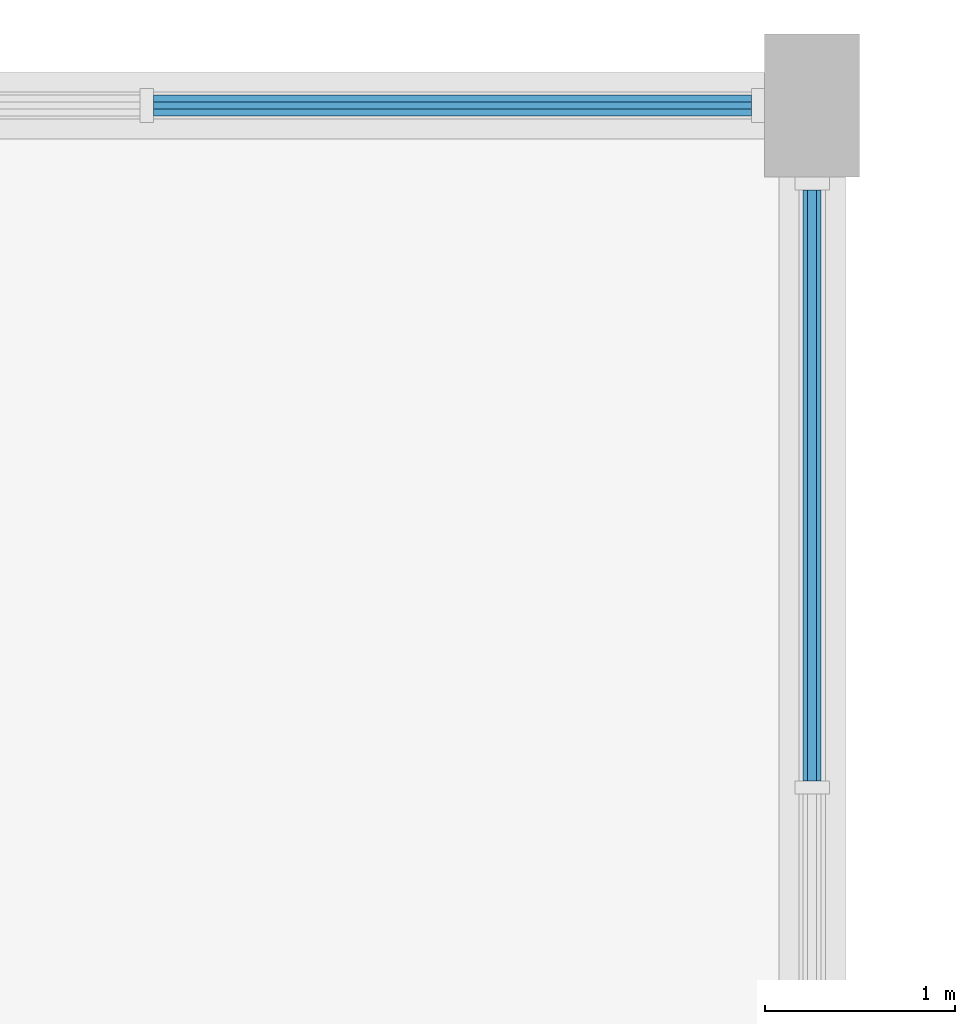
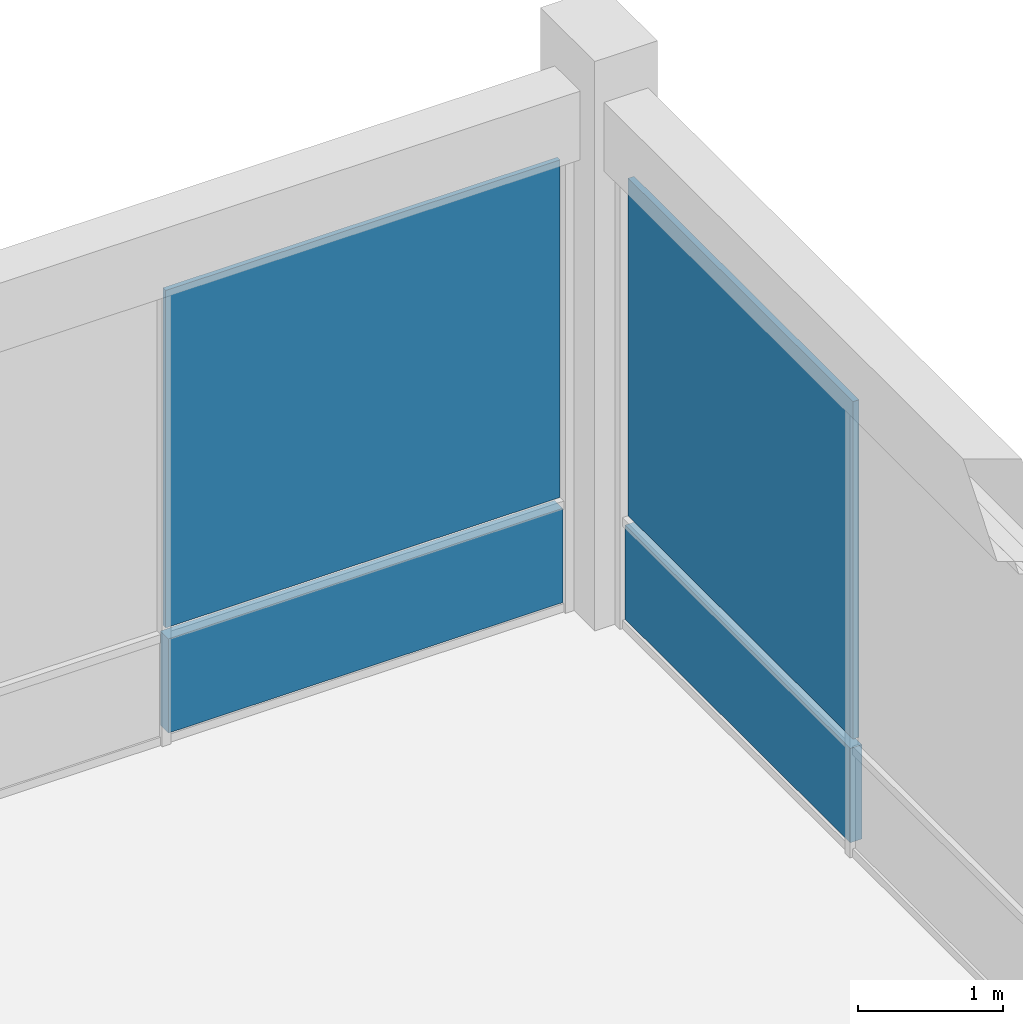
# One storey, part 53 of 75: 4 plates, 2 elements without a shape of their own.
"""IFC4 building model written with IfcOpenShell, lengths in metres."""

from ifc_helpers import new_model, si_unit, direction, frame, origin, origin_2d, place, context, subcontext, project, spatial, rectangle, extrude, material, layer, layer_set, type_object, element, aggregate, save


model = new_model("IFC4")

# Units and contexts
model_context = context("Model", 3, precision=1e-05, world=origin(), true_north=direction((0.0, 1.0)))
body_context = subcontext(model_context, "Body", "Model", "MODEL_VIEW")
ifc_project = project(units=[si_unit("LENGTHUNIT", "METRE"), si_unit("AREAUNIT", "SQUARE_METRE"), si_unit("VOLUMEUNIT", "CUBIC_METRE"), si_unit("PLANEANGLEUNIT", "RADIAN"), si_unit("MASSUNIT", "GRAM", prefix="KILO")], contexts=[model_context])

# Site, building, storey
site_placement = place(None, origin())
site = spatial("IfcSite", under=ifc_project, at=site_placement, CompositionType="ELEMENT")
building_placement = place(site_placement, origin())
building = spatial("IfcBuilding", under=site, at=building_placement, Name="Cendaluz Park School", CompositionType="ELEMENT")
storey_placement = place(building_placement, frame((0.0, 0.0, 4.800048828125)))
storey = spatial("IfcBuildingStorey", under=building, at=storey_placement, Name="L01", CompositionType="ELEMENT", Elevation=4.800048828125)

# Curtain wall, plate
ifc_material_1 = material(Name="Anodised Aluminium 6063-T6", Category="aluminium")
ifc_layer_1 = layer(ifc_material_1, 0.179931640625)
ifc_layer_set_1 = layer_set([ifc_layer_1], Name="Anodised Aluminium 6063-T6")
curtain_wall_type_1 = type_object("IfcCurtainWallType", Name="CW-130x77", PredefinedType="NOTDEFINED", material=ifc_layer_set_1)
curtain_wall_1_placement = place(storey_placement, origin())
curtain_wall_1 = element("IfcCurtainWall", 1, at=curtain_wall_1_placement, inside=storey, type_object=curtain_wall_type_1, Name="CW-L01-088", PredefinedType="NOTDEFINED")
ifc_material_2 = material(Name="Tempered Low-E Double Glazing", Category="glass")
ifc_layer_2 = layer(ifc_material_2, 0.0380859375)
ifc_layer_set_2 = layer_set([ifc_layer_2], Name="Tempered Low-E Double Glazing")
plate_type_1 = type_object("IfcPlateType", Name="CWP-G02", PredefinedType="CURTAIN_PANEL", material=ifc_layer_set_2)
plate_1_placement = place(storey_placement, frame((170.907470703125, 115.199951171875, 0.93505859375), z_axis=(0.0, 0.0, 1.0), x_axis=(1.0, 0.0, 0.0)))
plate_1 = element("IfcPlate", 2, at=plate_1_placement, type_object=plate_type_1, Name="CP-L01-1144", PredefinedType="CURTAIN_PANEL", context=body_context, shape_type="SweptSolid", body=[
    extrude(rectangle(XDim=3.14501953125, YDim=0.0380859375, at=origin_2d()), origin(), (0.0, 0.0, 1.0), 2.844970703125),
])

# Curtain wall, plates
ifc_layer_3 = layer(ifc_material_1, 0.179931640625)
ifc_layer_set_3 = layer_set([ifc_layer_3], Name="Anodised Aluminium 6063-T6")
curtain_wall_type_2 = type_object("IfcCurtainWallType", Name="CW-128x77", PredefinedType="NOTDEFINED", material=ifc_layer_set_3)
curtain_wall_2_placement = place(storey_placement, origin())
curtain_wall_2 = element("IfcCurtainWall", 3, at=curtain_wall_2_placement, inside=storey, type_object=curtain_wall_type_2, Name="CW-L01-089", PredefinedType="NOTDEFINED")
ifc_layer_4 = layer(ifc_material_2, 0.048095703125)
ifc_layer_set_4 = layer_set([ifc_layer_4], Name="Tempered Low-E Double Glazing")
plate_type_2 = type_object("IfcPlateType", Name="CWP-G03", PredefinedType="CURTAIN_PANEL", material=ifc_layer_set_4)
plate_2_placement = place(storey_placement, frame((172.800048828125, 113.201171875, 0.93505859375), z_axis=(0.0, 0.0, 1.0), x_axis=(0.0, 1.0, 0.0)))
plate_2 = element("IfcPlate", 4, at=plate_2_placement, type_object=plate_type_2, Name="CP-L01-1157", PredefinedType="CURTAIN_PANEL", context=body_context, shape_type="SweptSolid", body=[
    extrude(rectangle(XDim=3.107421875, YDim=0.048095703125, at=origin_2d()), origin(), (0.0, 0.0, 1.0), 2.844970703125),
])
ifc_layer_5 = layer(ifc_material_1, 0.094970703125)
ifc_layer_set_5 = layer_set([ifc_layer_5], Name="Anodised Aluminium 6063-T6")
plate_type_3 = type_object("IfcPlateType", Name="CWP-S02", PredefinedType="CURTAIN_PANEL", material=ifc_layer_set_5)
plate_3_placement = place(storey_placement, frame((172.800048828125, 113.201171875, 0.070068359375), z_axis=(0.0, 0.0, 1.0), x_axis=(0.0, 1.0, 0.0)))
plate_3 = element("IfcPlate", 5, at=plate_3_placement, type_object=plate_type_3, Name="CP-L01-1156", PredefinedType="CURTAIN_PANEL", context=body_context, shape_type="SweptSolid", body=[
    extrude(rectangle(XDim=3.107421875, YDim=0.094970703125, at=origin_2d()), origin(), (0.0, 0.0, 1.0), 0.794921875),
])
aggregate(curtain_wall_2, [plate_3, plate_2])

# Plate
ifc_layer_6 = layer(ifc_material_1, 0.110107421875)
ifc_layer_set_6 = layer_set([ifc_layer_6], Name="Anodised Aluminium 6063-T6")
plate_type_4 = type_object("IfcPlateType", Name="CWP-S03", PredefinedType="CURTAIN_PANEL", material=ifc_layer_set_6)
plate_4_placement = place(storey_placement, frame((170.907470703125, 115.199951171875, 0.070068359375), z_axis=(0.0, 0.0, 1.0), x_axis=(1.0, 0.0, 0.0)))
plate_4 = element("IfcPlate", 6, at=plate_4_placement, type_object=plate_type_4, Name="CP-L01-1143", PredefinedType="CURTAIN_PANEL", context=body_context, shape_type="SweptSolid", body=[
    extrude(rectangle(XDim=3.14501953125, YDim=0.110107421875, at=origin_2d()), origin(), (0.0, 0.0, 1.0), 0.794921875),
])

aggregate(curtain_wall_1, [plate_4, plate_1])

save(model, "model.ifc")
